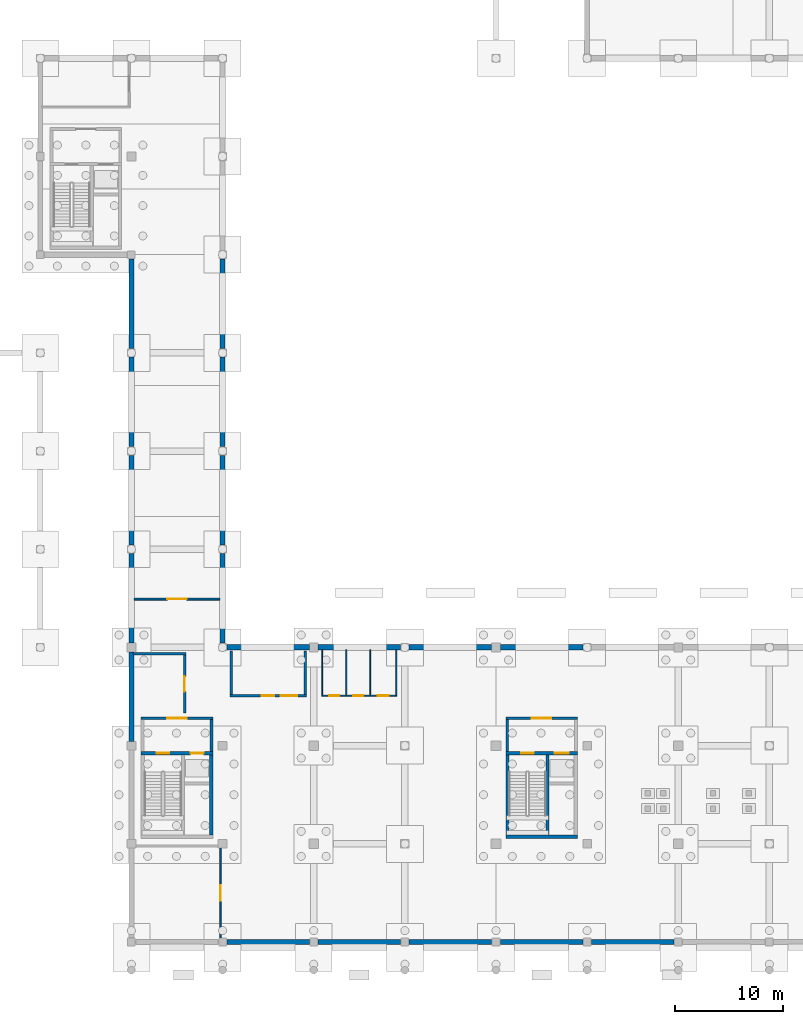
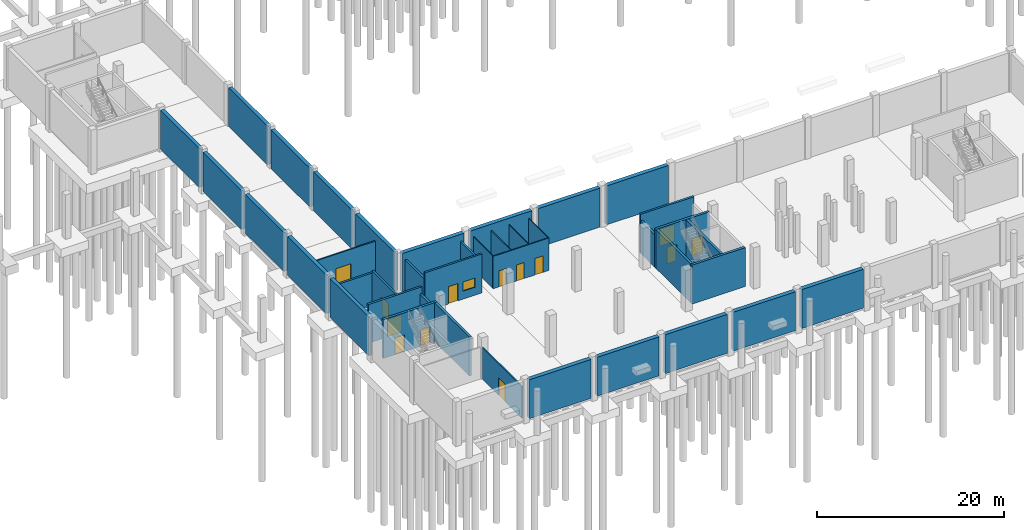
# One storey, part 7 of 18: 40 walls, 13 doors, 1 window, 14 openings.
"""IFC4 building model written with IfcOpenShell, lengths in metres."""

from ifc_helpers import new_model, si_unit, direction, frame, frame_2d, origin, place, context, subcontext, project, spatial, rectangle, extrude, material, layer, layer_set, type_object, element, fill, save


model = new_model("IFC4")

# Units and contexts
model_context = context("Model", 3, precision=1e-05, world=origin(), true_north=direction((0.0, 1.0)))
body_context = subcontext(model_context, "Body", "Model", "MODEL_VIEW")
ifc_project = project(units=[si_unit("LENGTHUNIT", "METRE"), si_unit("AREAUNIT", "SQUARE_METRE"), si_unit("VOLUMEUNIT", "CUBIC_METRE"), si_unit("PLANEANGLEUNIT", "RADIAN"), si_unit("MASSUNIT", "GRAM", prefix="KILO")], contexts=[model_context])

# Site, building, storey
site_placement = place(None, origin())
site = spatial("IfcSite", under=ifc_project, at=site_placement, CompositionType="ELEMENT")
building_placement = place(site_placement, origin())
building = spatial("IfcBuilding", under=site, at=building_placement, Name="Khurvash Pelagic Aquarium", CompositionType="ELEMENT")
storey_placement = place(building_placement, frame((0.0, 0.0, -5.39990234375)))
storey = spatial("IfcBuildingStorey", under=building, at=storey_placement, Name="B1", CompositionType="ELEMENT", Elevation=-5.39990234375)

# Wall, openings, doors
ifc_material_1 = material(Name="Ceramic-tiled wet-room partition", Category="masonry")
ifc_layer_1 = layer(ifc_material_1, 0.110107421875)
ifc_layer_set_1 = layer_set([ifc_layer_1], Name="Ceramic-tiled wet-room partition")
wall_type_1 = type_object("IfcWallType", Name="PW-110", PredefinedType="PARTITIONING", material=ifc_layer_set_1)
wall_1_placement = place(storey_placement, frame((42.7451171875, 25.300048828125, 0.0), z_axis=(0.0, 0.0, 1.0), x_axis=(1.0, 0.0, 0.0)))
wall_1 = element("IfcWall", 1, at=wall_1_placement, inside=storey, type_object=wall_type_1, Name="B1 Restroom Bank Corridor Wall PW-110", PredefinedType="PARTITIONING", context=body_context, shape_type="SweptSolid", body=[
    extrude(rectangle(XDim=6.909912109375, YDim=0.110107421875, at=frame_2d((3.455078125, 0.0))), origin(), (0.0, 0.0, 1.0), 4.22998046875),
])
opening_1_placement = place(wall_1_placement, frame((0.695068359375, 0.0, 0.0)))
opening_1 = element("IfcOpeningElement", 2, at=opening_1_placement, cuts=wall_1, Name="Opening ID-01", PredefinedType="OPENING", context=body_context, shape_type="SweptSolid", body=[
    extrude(rectangle(XDim=0.919921875, YDim=2.10009765625, at=frame_2d((0.4599609375, 1.050048828125))), frame((0.0, 0.06494140625, 0.0), z_axis=(0.0, -1.0, 0.0), x_axis=(1.0, 0.0, 0.0)), (0.0, 0.0, 1.0), 0.130126953125),
])
opening_2_placement = place(wall_1_placement, frame((2.89501953125, 0.0, 0.0)))
opening_2 = element("IfcOpeningElement", 3, at=opening_2_placement, cuts=wall_1, Name="Opening ID-01", PredefinedType="OPENING", context=body_context, shape_type="SweptSolid", body=[
    extrude(rectangle(XDim=0.919921875, YDim=2.10009765625, at=frame_2d((0.4599609375, 1.050048828125))), frame((0.0, 0.06494140625, 0.0), z_axis=(0.0, -1.0, 0.0), x_axis=(1.0, 0.0, 0.0)), (0.0, 0.0, 1.0), 0.130126953125),
])
opening_3_placement = place(wall_1_placement, frame((5.155029296875, 0.0, 0.0)))
opening_3 = element("IfcOpeningElement", 4, at=opening_3_placement, cuts=wall_1, Name="Opening ID-02", PredefinedType="OPENING", context=body_context, shape_type="SweptSolid", body=[
    extrude(rectangle(XDim=1.0, YDim=2.14990234375, at=frame_2d((0.5, 1.074951171875))), frame((0.0, 0.06494140625, 0.0), z_axis=(0.0, -1.0, 0.0), x_axis=(1.0, 0.0, 0.0)), (0.0, 0.0, 1.0), 0.130126953125),
])
ifc_material_2 = material(Name="High-pressure laminate solid-core timber", Category="wood")
door_type_1 = type_object("IfcDoorType", Name="ID-01", OperationType="NOTDEFINED", PredefinedType="DOOR", material=ifc_material_2)
door_1_placement = place(opening_1_placement, frame((0.919921875, 0.0, 0.0), z_axis=(0.0, 0.0, 1.0), x_axis=(-1.0, 0.0, 0.0)))
door_1 = element("IfcDoor", 5, at=door_1_placement, inside=storey, type_object=door_type_1, Name="DR-0014", OperationType="SINGLE_SWING_LEFT", OverallHeight=2.10009765625, OverallWidth=0.919921875, PredefinedType="DOOR", context=body_context, shape_type="SweptSolid", body=[
    extrude(rectangle(XDim=0.919921875, YDim=2.10009765625, at=frame_2d((0.4599609375, 1.050048828125))), frame((0.0, 0.02490234375, 0.0), z_axis=(0.0, -1.0, 0.0), x_axis=(1.0, 0.0, 0.0)), (0.0, 0.0, 1.0), 0.050048828125),
])
fill(opening_1, door_1)
door_2_placement = place(opening_2_placement, frame((0.919921875, 0.0, 0.0), z_axis=(0.0, 0.0, 1.0), x_axis=(-1.0, 0.0, 0.0)))
door_2 = element("IfcDoor", 6, at=door_2_placement, inside=storey, type_object=door_type_1, Name="DR-0015", OperationType="SINGLE_SWING_RIGHT", OverallHeight=2.10009765625, OverallWidth=0.919921875, PredefinedType="DOOR", context=body_context, shape_type="SweptSolid", body=[
    extrude(rectangle(XDim=0.919921875, YDim=2.10009765625, at=frame_2d((0.4599609375, 1.050048828125))), frame((0.0, 0.02490234375, 0.0), z_axis=(0.0, -1.0, 0.0), x_axis=(1.0, 0.0, 0.0)), (0.0, 0.0, 1.0), 0.050048828125),
])
fill(opening_2, door_2)
door_type_2 = type_object("IfcDoorType", Name="ID-02", OperationType="NOTDEFINED", PredefinedType="DOOR", material=ifc_material_2)
door_3_placement = place(opening_3_placement, frame((1.0, 0.0, 0.0), z_axis=(0.0, 0.0, 1.0), x_axis=(-1.0, 0.0, 0.0)))
door_3 = element("IfcDoor", 7, at=door_3_placement, inside=storey, type_object=door_type_2, Name="DR-0016", OperationType="SINGLE_SWING_LEFT", OverallHeight=2.14990234375, OverallWidth=1.0, PredefinedType="DOOR", context=body_context, shape_type="SweptSolid", body=[
    extrude(rectangle(XDim=1.0, YDim=2.14990234375, at=frame_2d((0.5, 1.074951171875))), frame((0.0, 0.02490234375, 0.0), z_axis=(0.0, -1.0, 0.0), x_axis=(1.0, 0.0, 0.0)), (0.0, 0.0, 1.0), 0.050048828125),
])
fill(opening_3, door_3)

# Walls
for number, where, z_axis, x_axis, name in (
    (8, (42.800048828125, 25.35498046875, 0.0), (0.0, 0.0, 1.0), (0.0, 1.0, 0.0), "B1 Restroom Divider Partition PW-110"),
    (9, (45.0, 25.35498046875, 0.0), (0.0, 0.0, 1.0), (0.0, 1.0, 0.0), "B1 Restroom Divider Partition PW-110"),
    (10, (47.199951171875, 25.35498046875, 0.0), (0.0, 0.0, 1.0), (0.0, 1.0, 0.0), "B1 Restroom Divider Partition PW-110"),
    (11, (49.60009765625, 25.35498046875, 0.0), (0.0, 0.0, 1.0), (0.0, 1.0, 0.0), "B1 Restroom Divider Partition PW-110"),
):
    element("IfcWall", number, at=place(storey_placement, frame(where, z_axis=z_axis, x_axis=x_axis)), inside=storey, type_object=wall_type_1, Name=name, PredefinedType="PARTITIONING", context=body_context, shape_type="SweptSolid", body=[
        extrude(rectangle(XDim=4.169921875, YDim=0.110107421875, at=frame_2d((2.0849609375, 0.0))), origin(), (0.0, 0.0, 1.0), 4.22998046875),
    ])

# Wall, opening, door
ifc_material_3 = material(Name="Moisture-resistant gypsum and steel stud", Category="steel")
ifc_layer_2 = layer(ifc_material_3, 0.139892578125)
ifc_layer_set_2 = layer_set([ifc_layer_2], Name="Moisture-resistant gypsum and steel stud")
wall_type_2 = type_object("IfcWallType", Name="PW-140", PredefinedType="PARTITIONING", material=ifc_layer_set_2)
wall_2_placement = place(storey_placement, frame((33.39990234375, 2.8701171875, 0.0), z_axis=(0.0, 0.0, 1.0), x_axis=(0.0, 1.0, 0.0)))
wall_2 = element("IfcWall", 12, at=wall_2_placement, inside=storey, type_object=wall_type_2, Name="B1 Substation and Switchgear Plant Partition Wall PW-140", PredefinedType="PARTITIONING", context=body_context, shape_type="SweptSolid", body=[
    extrude(rectangle(XDim=8.509765625, YDim=0.139892578125, at=frame_2d((4.2548828125, 0.0))), origin(), (0.0, 0.0, 1.0), 4.1298828125),
])
opening_4_placement = place(wall_2_placement, frame((3.554931640625, 0.0, 0.0)))
opening_4 = element("IfcOpeningElement", 13, at=opening_4_placement, cuts=wall_2, Name="Opening FD-03", PredefinedType="OPENING", context=body_context, shape_type="SweptSolid", body=[
    extrude(rectangle(XDim=1.39990234375, YDim=2.25, at=frame_2d((0.699951171875, 1.125))), frame((0.0, 0.080078125, 0.0), z_axis=(0.0, -1.0, 0.0), x_axis=(1.0, 0.0, 0.0)), (0.0, 0.0, 1.0), 0.159912109375),
])
ifc_material_4 = material(Name="Galvanised steel plant fire door", Category="steel")
door_type_3 = type_object("IfcDoorType", Name="FD-03", OperationType="NOTDEFINED", PredefinedType="DOOR", material=ifc_material_4)
door_4_placement = place(opening_4_placement, origin())
door_4 = element("IfcDoor", 14, at=door_4_placement, inside=storey, type_object=door_type_3, Name="DR-0018", OperationType="SINGLE_SWING_LEFT", OverallHeight=2.25, OverallWidth=1.39990234375, PredefinedType="DOOR", context=body_context, shape_type="SweptSolid", body=[
    extrude(rectangle(XDim=1.39990234375, YDim=2.25, at=frame_2d((0.699951171875, 1.125))), frame((0.0, 0.02490234375, 0.0), z_axis=(0.0, -1.0, 0.0), x_axis=(1.0, 0.0, 0.0)), (0.0, 0.0, 1.0), 0.050048828125),
])
fill(opening_4, door_4)

ifc_material_5 = material(Name="AAC blockwork", Category="masonry")
ifc_layer_3 = layer(ifc_material_5, 0.169921875)
ifc_layer_set_3 = layer_set([ifc_layer_3], Name="AAC blockwork")
wall_type_3 = type_object("IfcWallType", Name="PW-170", PredefinedType="PARTITIONING", material=ifc_layer_set_3)
wall_3_placement = place(storey_placement, frame((25.449951171875, 34.199951171875, 0.0), z_axis=(0.0, 0.0, 1.0), x_axis=(1.0, 0.0, 0.0)))
wall_3 = element("IfcWall", 15, at=wall_3_placement, inside=storey, type_object=wall_type_3, Name="B1 Service Corridor Smoke Compartment Partition Wall PW-170", PredefinedType="PARTITIONING", context=body_context, shape_type="SweptSolid", body=[
    extrude(rectangle(XDim=7.900146484375, YDim=0.169921875, at=frame_2d((3.9501953125, 0.0))), origin(), (0.0, 0.0, 1.0), 4.1298828125),
])
opening_5_placement = place(wall_3_placement, frame((3.050048828125, 0.0, 0.0)))
opening_5 = element("IfcOpeningElement", 16, at=opening_5_placement, cuts=wall_3, Name="Opening FD-02", PredefinedType="OPENING", context=body_context, shape_type="SweptSolid", body=[
    extrude(rectangle(XDim=1.800048828125, YDim=2.25, at=frame_2d((0.89990234375, 1.125))), frame((0.0, 0.094970703125, 0.0), z_axis=(0.0, -1.0, 0.0), x_axis=(1.0, 0.0, 0.0)), (0.0, 0.0, 1.0), 0.18994140625),
])
ifc_material_6 = material(Name="Galvanised steel double fire door", Category="steel")
door_type_4 = type_object("IfcDoorType", Name="FD-02", OperationType="DOUBLE_DOOR_SINGLE_SWING", PredefinedType="DOOR", material=ifc_material_6)
door_5_placement = place(opening_5_placement, frame((1.800048828125, 0.0, 0.0), z_axis=(0.0, 0.0, 1.0), x_axis=(-1.0, 0.0, 0.0)))
door_5 = element("IfcDoor", 17, at=door_5_placement, inside=storey, type_object=door_type_4, Name="DR-0013", OperationType="DOUBLE_DOOR_SINGLE_SWING", OverallHeight=2.25, OverallWidth=1.800048828125, PredefinedType="DOOR", context=body_context, shape_type="SweptSolid", body=[
    extrude(rectangle(XDim=1.800048828125, YDim=2.25, at=frame_2d((0.89990234375, 1.125))), frame((0.0, 0.02490234375, 0.0), z_axis=(0.0, -1.0, 0.0), x_axis=(1.0, 0.0, 0.0)), (0.0, 0.0, 1.0), 0.050048828125),
])
fill(opening_5, door_5)

# Wall, openings, door, window
ifc_layer_4 = layer(ifc_material_5, 0.235107421875)
ifc_layer_set_4 = layer_set([ifc_layer_4], Name="AAC blockwork")
wall_type_4 = type_object("IfcWallType", Name="PW-235", PredefinedType="PARTITIONING", material=ifc_layer_set_4)
wall_4_placement = place(storey_placement, frame((34.281982421875, 25.300048828125, 0.0), z_axis=(0.0, 0.0, 1.0), x_axis=(1.0, 0.0, 0.0)))
wall_4 = element("IfcWall", 18, at=wall_4_placement, inside=storey, type_object=wall_type_4, Name="B1 Salt Mixing and Brine Storage Partition Wall PW-235", PredefinedType="PARTITIONING", context=body_context, shape_type="SweptSolid", body=[
    extrude(rectangle(XDim=7.0361328125, YDim=0.235107421875, at=frame_2d((3.51806640625, 0.0))), origin(), (0.0, 0.0, 1.0), 5.079833984375),
])
opening_6_placement = place(wall_4_placement, frame((2.93798828125, 0.0, 0.0)))
opening_6 = element("IfcOpeningElement", 19, at=opening_6_placement, cuts=wall_4, Name="Opening ID-29", PredefinedType="OPENING", context=body_context, shape_type="SweptSolid", body=[
    extrude(rectangle(XDim=1.159912109375, YDim=2.260009765625, at=frame_2d((0.580078125, 1.1298828125))), frame((0.0, 0.12744140625, 0.0), z_axis=(0.0, -1.0, 0.0), x_axis=(1.0, 0.0, 0.0)), (0.0, 0.0, 1.0), 0.255126953125),
])
opening_7_placement = place(wall_4_placement, frame((4.697998046875, 0.0, 1.0498046875)))
opening_7 = element("IfcOpeningElement", 20, at=opening_7_placement, cuts=wall_4, Name="Opening IW-01", PredefinedType="OPENING", context=body_context, shape_type="SweptSolid", body=[
    extrude(rectangle(XDim=1.5, YDim=1.199951171875, at=frame_2d((0.75, 0.60009765625))), frame((0.0, 0.12744140625, 0.0), z_axis=(0.0, -1.0, 0.0), x_axis=(1.0, 0.0, 0.0)), (0.0, 0.0, 1.0), 0.255126953125),
])
ifc_material_7 = material(Name="FRP biosecure airlock door", Category="wood")
door_type_5 = type_object("IfcDoorType", Name="ID-29", OperationType="NOTDEFINED", PredefinedType="DOOR", material=ifc_material_7)
door_6_placement = place(opening_6_placement, origin())
door_6 = element("IfcDoor", 21, at=door_6_placement, inside=storey, type_object=door_type_5, Name="DR-0017", OperationType="SINGLE_SWING_RIGHT", OverallHeight=2.260009765625, OverallWidth=1.159912109375, PredefinedType="DOOR", context=body_context, shape_type="SweptSolid", body=[
    extrude(rectangle(XDim=1.159912109375, YDim=2.260009765625, at=frame_2d((0.580078125, 1.1298828125))), frame((0.0, 0.02490234375, 0.0), z_axis=(0.0, -1.0, 0.0), x_axis=(1.0, 0.0, 0.0)), (0.0, 0.0, 1.0), 0.050048828125),
])
fill(opening_6, door_6)
ifc_material_8 = material(Name="Acoustic laminated interior observation glazing", Category="glass")
window_type = type_object("IfcWindowType", Name="IW-01", PartitioningType="SINGLE_PANEL", PredefinedType="WINDOW", material=ifc_material_8)
window_placement = place(opening_7_placement, origin())
window = element("IfcWindow", 22, at=window_placement, inside=storey, type_object=window_type, Name="B1 Salt Mixing and Brine Storage Observation Window IW-01", OverallHeight=1.199951171875, OverallWidth=1.5, PartitioningType="SINGLE_PANEL", PredefinedType="WINDOW", context=body_context, shape_type="SweptSolid", body=[
    extrude(rectangle(XDim=1.5, YDim=1.199951171875, at=frame_2d((0.75, 0.60009765625))), frame((0.0, 0.030029296875, 0.0), z_axis=(0.0, -1.0, 0.0), x_axis=(1.0, 0.0, 0.0)), (0.0, 0.0, 1.0), 0.06005859375),
])
fill(opening_7, window)

# Walls
for number, where, z_axis, x_axis, name in (
    (23, (41.199951171875, 25.41796875, 0.0), (0.0, 0.0, 1.0), (0.0, 1.0, 0.0), "B1 Salt Mixing and Brine Storage Partition Wall PW-235"),
    (24, (34.39990234375, 25.41796875, 0.0), (0.0, 0.0, 1.0), (0.0, 1.0, 0.0), "B1 Salt Mixing and Brine Storage Partition Wall PW-235"),
):
    element("IfcWall", number, at=place(storey_placement, frame(where, z_axis=z_axis, x_axis=x_axis)), inside=storey, type_object=wall_type_4, Name=name, PredefinedType="PARTITIONING", context=body_context, shape_type="SweptSolid", body=[
        extrude(rectangle(XDim=3.989013671875, YDim=0.235107421875, at=frame_2d((1.99462890625, 0.0))), origin(), (0.0, 0.0, 1.0), 4.22998046875),
    ])

# Wall, opening, door
wall_5_placement = place(storey_placement, frame((30.10009765625, 23.718017578125, 0.0), z_axis=(0.0, 0.0, 1.0), x_axis=(0.0, 1.0, 0.0)))
wall_5 = element("IfcWall", 25, at=wall_5_placement, inside=storey, type_object=wall_type_4, Name="B1 Standby Generator Plant Partition Wall PW-235", PredefinedType="PARTITIONING", context=body_context, shape_type="SweptSolid", body=[
    extrude(rectangle(XDim=5.31396484375, YDim=0.235107421875, at=frame_2d((2.656982421875, 0.0))), origin(), (0.0, 0.0, 1.0), 4.52978515625),
])
opening_8_placement = place(wall_5_placement, frame((1.95703125, 0.0, 0.0)))
opening_8 = element("IfcOpeningElement", 26, at=opening_8_placement, cuts=wall_5, Name="Opening FD-03", PredefinedType="OPENING", context=body_context, shape_type="SweptSolid", body=[
    extrude(rectangle(XDim=1.39990234375, YDim=2.25, at=frame_2d((0.699951171875, 1.125))), frame((0.0, 0.12744140625, 0.0), z_axis=(0.0, -1.0, 0.0), x_axis=(1.0, 0.0, 0.0)), (0.0, 0.0, 1.0), 0.255126953125),
])
door_7_placement = place(opening_8_placement, origin())
door_7 = element("IfcDoor", 27, at=door_7_placement, inside=storey, type_object=door_type_3, Name="DR-0019", OperationType="SINGLE_SWING_RIGHT", OverallHeight=2.25, OverallWidth=1.39990234375, PredefinedType="DOOR", context=body_context, shape_type="SweptSolid", body=[
    extrude(rectangle(XDim=1.39990234375, YDim=2.25, at=frame_2d((0.699951171875, 1.125))), frame((0.0, 0.02490234375, 0.0), z_axis=(0.0, -1.0, 0.0), x_axis=(1.0, 0.0, 0.0)), (0.0, 0.0, 1.0), 0.050048828125),
])
fill(opening_8, door_7)

# Wall
wall_6_placement = place(storey_placement, frame((25.33203125, 29.14990234375, 0.0), z_axis=(0.0, 0.0, 1.0), x_axis=(1.0, 0.0, 0.0)))
element("IfcWall", 28, at=wall_6_placement, inside=storey, type_object=wall_type_4, Name="B1 Standby Generator Plant Partition Wall PW-235", PredefinedType="PARTITIONING", context=body_context, shape_type="SweptSolid", body=[
    extrude(rectangle(XDim=4.885986328125, YDim=0.235107421875, at=frame_2d((2.44287109375, 0.0))), origin(), (0.0, 0.0, 1.0), 4.22998046875),
])

# Wall, opening, door
ifc_layer_5 = layer(ifc_material_5, 0.25)
ifc_layer_set_5 = layer_set([ifc_layer_5], Name="AAC blockwork")
wall_type_5 = type_object("IfcWallType", Name="PW-250", PredefinedType="PARTITIONING", material=ifc_layer_set_5)
wall_7_placement = place(storey_placement, frame((26.10009765625, 23.22509765625, 0.0), z_axis=(0.0, 0.0, 1.0), x_axis=(1.0, 0.0, 0.0)))
wall_7 = element("IfcWall", 29, at=wall_7_placement, inside=storey, type_object=wall_type_5, Name="B1 Core C1 Lobby Front Fire Wall PW-250", PredefinedType="PARTITIONING", context=body_context, shape_type="SweptSolid", body=[
    extrude(rectangle(XDim=6.599853515625, YDim=0.25, at=frame_2d((3.2998046875, 0.0))), origin(), (0.0, 0.0, 1.0), 5.079833984375),
])
opening_9_placement = place(wall_7_placement, frame((2.39990234375, 0.0, 0.0)))
opening_9 = element("IfcOpeningElement", 30, at=opening_9_placement, cuts=wall_7, Name="Opening FD-02", PredefinedType="OPENING", context=body_context, shape_type="SweptSolid", body=[
    extrude(rectangle(XDim=1.800048828125, YDim=2.25, at=frame_2d((0.89990234375, 1.125))), frame((0.0, 0.135009765625, 0.0), z_axis=(0.0, -1.0, 0.0), x_axis=(1.0, 0.0, 0.0)), (0.0, 0.0, 1.0), 0.27001953125),
])
door_8_placement = place(opening_9_placement, origin())
door_8 = element("IfcDoor", 31, at=door_8_placement, inside=storey, type_object=door_type_4, Name="DR-0026", OperationType="DOUBLE_DOOR_SINGLE_SWING", OverallHeight=2.25, OverallWidth=1.800048828125, PredefinedType="DOOR", context=body_context, shape_type="SweptSolid", body=[
    extrude(rectangle(XDim=1.800048828125, YDim=2.25, at=frame_2d((0.89990234375, 1.125))), frame((0.0, 0.02490234375, 0.0), z_axis=(0.0, -1.0, 0.0), x_axis=(1.0, 0.0, 0.0)), (0.0, 0.0, 1.0), 0.050048828125),
])
fill(opening_9, door_8)

# Wall
wall_8_placement = place(storey_placement, frame((32.574951171875, 20.14990234375, 0.0), z_axis=(0.0, 0.0, 1.0), x_axis=(0.0, 1.0, 0.0)))
element("IfcWall", 32, at=wall_8_placement, inside=storey, type_object=wall_type_5, Name="B1 Core C1 Lobby East Fire Wall PW-250", PredefinedType="PARTITIONING", context=body_context, shape_type="SweptSolid", body=[
    extrude(rectangle(XDim=2.9501953125, YDim=0.25, at=frame_2d((1.47509765625, 0.0))), origin(), (0.0, 0.0, 1.0), 4.22998046875),
])

# Wall, opening, door
wall_9_placement = place(storey_placement, frame((59.699951171875, 23.22509765625, 0.0), z_axis=(0.0, 0.0, 1.0), x_axis=(1.0, 0.0, 0.0)))
wall_9 = element("IfcWall", 33, at=wall_9_placement, inside=storey, type_object=wall_type_5, Name="B1 Core C2 Lobby Front Fire Wall PW-250", PredefinedType="PARTITIONING", context=body_context, shape_type="SweptSolid", body=[
    extrude(rectangle(XDim=6.60009765625, YDim=0.25, at=frame_2d((3.300048828125, 0.0))), origin(), (0.0, 0.0, 1.0), 5.079833984375),
])
opening_10_placement = place(wall_9_placement, frame((2.39990234375, 0.0, 0.0)))
opening_10 = element("IfcOpeningElement", 34, at=opening_10_placement, cuts=wall_9, Name="Opening FD-02", PredefinedType="OPENING", context=body_context, shape_type="SweptSolid", body=[
    extrude(rectangle(XDim=1.800048828125, YDim=2.25, at=frame_2d((0.89990234375, 1.125))), frame((0.0, 0.135009765625, 0.0), z_axis=(0.0, -1.0, 0.0), x_axis=(1.0, 0.0, 0.0)), (0.0, 0.0, 1.0), 0.27001953125),
])
door_9_placement = place(opening_10_placement, origin())
door_9 = element("IfcDoor", 35, at=door_9_placement, inside=storey, type_object=door_type_4, Name="DR-0027", OperationType="DOUBLE_DOOR_SINGLE_SWING", OverallHeight=2.25, OverallWidth=1.800048828125, PredefinedType="DOOR", context=body_context, shape_type="SweptSolid", body=[
    extrude(rectangle(XDim=1.800048828125, YDim=2.25, at=frame_2d((0.89990234375, 1.125))), frame((0.0, 0.02490234375, 0.0), z_axis=(0.0, -1.0, 0.0), x_axis=(1.0, 0.0, 0.0)), (0.0, 0.0, 1.0), 0.050048828125),
])
fill(opening_10, door_9)

# Walls
wall_10_placement = place(storey_placement, frame((59.824951171875, 20.14990234375, 0.0), z_axis=(0.0, 0.0, 1.0), x_axis=(0.0, 1.0, 0.0)))
element("IfcWall", 36, at=wall_10_placement, inside=storey, type_object=wall_type_5, Name="B1 Core C2 Lobby West Fire Wall PW-250", PredefinedType="PARTITIONING", context=body_context, shape_type="SweptSolid", body=[
    extrude(rectangle(XDim=2.9501953125, YDim=0.25, at=frame_2d((1.47509765625, 0.0))), origin(), (0.0, 0.0, 1.0), 4.22998046875),
])
ifc_material_9 = material(Name="Concrete C40/50", Category="concrete")
ifc_layer_6 = layer(ifc_material_9, 0.449951171875)
ifc_layer_set_6 = layer_set([ifc_layer_6], Name="Concrete C40/50")
wall_type_6 = type_object("IfcWallType", Name="RW-450", PredefinedType="USERDEFINED", material=ifc_layer_set_6)
for number, where, z_axis, x_axis, name in (
    (37, (25.199951171875, 21.10009765625, 0.0), (0.0, 0.0, 1.0), (0.0, 1.0, 0.0), "B1 Perimeter Waterproofed Retaining Wall RW-450"),
    (38, (25.199951171875, 30.14990234375, 0.0), (0.0, 0.0, 1.0), (0.0, 1.0, 0.0), "B1 Perimeter Waterproofed Retaining Wall RW-450"),
    (39, (25.199951171875, 39.199951171875, 0.0), (0.0, 0.0, 1.0), (0.0, 1.0, 0.0), "B1 Perimeter Waterproofed Retaining Wall RW-450"),
    (40, (25.199951171875, 48.25, 0.0), (0.0, 0.0, 1.0), (0.0, 1.0, 0.0), "B1 Perimeter Waterproofed Retaining Wall RW-450"),
    (41, (25.199951171875, 57.300048828125, 0.0), (0.0, 0.0, 1.0), (0.0, 1.0, 0.0), "B1 Perimeter Waterproofed Retaining Wall RW-450"),
    (42, (33.60009765625, 65.550048828125, 0.0), (0.0, 0.0, 1.0), (0.0, -1.0, 0.0), "B1 Perimeter Waterproofed Retaining Wall RW-450"),
    (43, (33.60009765625, 56.5, 0.0), (0.0, 0.0, 1.0), (0.0, -1.0, 0.0), "B1 Perimeter Waterproofed Retaining Wall RW-450"),
    (44, (33.60009765625, 47.449951171875, 0.0), (0.0, 0.0, 1.0), (0.0, -1.0, 0.0), "B1 Perimeter Waterproofed Retaining Wall RW-450"),
    (45, (33.60009765625, 38.39990234375, 0.0), (0.0, 0.0, 1.0), (0.0, -1.0, 0.0), "B1 Perimeter Waterproofed Retaining Wall RW-450"),
):
    element("IfcWall", number, at=place(storey_placement, frame(where, z_axis=z_axis, x_axis=x_axis)), inside=storey, type_object=wall_type_6, Name=name, ObjectType="RETAINING WALL", PredefinedType="USERDEFINED", context=body_context, shape_type="SweptSolid", body=[
        extrude(rectangle(XDim=8.25, YDim=0.449951171875, at=frame_2d((4.125, 0.0))), origin(), (0.0, 0.0, 1.0), 5.079833984375),
    ])
ifc_material_10 = material(Name="Water-retaining concrete C40/50", Category="concrete")
ifc_layer_7 = layer(ifc_material_10, 0.5)
ifc_layer_set_7 = layer_set([ifc_layer_7], Name="Water-retaining concrete C40/50")
wall_type_7 = type_object("IfcWallType", Name="RW-500", PredefinedType="USERDEFINED", material=ifc_layer_set_7)
wall_11_placement = place(storey_placement, frame((75.199951171875, 2.60009765625, 0.0), z_axis=(0.0, 0.0, 1.0), x_axis=(-1.0, 0.0, 0.0)))
element("IfcWall", 46, at=wall_11_placement, inside=storey, type_object=wall_type_7, Name="B1 Perimeter Waterproofed Retaining Wall RW-500", ObjectType="RETAINING WALL", PredefinedType="USERDEFINED", context=body_context, shape_type="SweptSolid", body=[
    extrude(rectangle(XDim=7.599853515625, YDim=0.5, at=frame_2d((3.7998046875, 0.0))), origin(), (0.0, 0.0, 1.0), 5.079833984375),
])
wall_12_placement = place(storey_placement, frame((66.800048828125, 2.60009765625, 0.0), z_axis=(0.0, 0.0, 1.0), x_axis=(-1.0, 0.0, 0.0)))
element("IfcWall", 47, at=wall_12_placement, inside=storey, type_object=wall_type_7, Name="B1 Perimeter Waterproofed Retaining Wall RW-500", ObjectType="RETAINING WALL", PredefinedType="USERDEFINED", context=body_context, shape_type="SweptSolid", body=[
    extrude(rectangle(XDim=7.60009765625, YDim=0.5, at=frame_2d((3.800048828125, 0.0))), origin(), (0.0, 0.0, 1.0), 5.079833984375),
])
wall_13_placement = place(storey_placement, frame((58.39990234375, 2.60009765625, 0.0), z_axis=(0.0, 0.0, 1.0), x_axis=(-1.0, 0.0, 0.0)))
element("IfcWall", 48, at=wall_13_placement, inside=storey, type_object=wall_type_7, Name="B1 Perimeter Waterproofed Retaining Wall RW-500", ObjectType="RETAINING WALL", PredefinedType="USERDEFINED", context=body_context, shape_type="SweptSolid", body=[
    extrude(rectangle(XDim=7.599853515625, YDim=0.5, at=frame_2d((3.7998046875, 0.0))), origin(), (0.0, 0.0, 1.0), 5.079833984375),
])
for number, where, z_axis, x_axis, name in (
    (49, (50.0, 2.60009765625, 0.0), (0.0, 0.0, 1.0), (-1.0, 0.0, 0.0), "B1 Perimeter Waterproofed Retaining Wall RW-500"),
    (50, (41.60009765625, 2.60009765625, 0.0), (0.0, 0.0, 1.0), (-1.0, 0.0, 0.0), "B1 Perimeter Waterproofed Retaining Wall RW-500"),
    (51, (34.0, 29.75, 0.0), (0.0, 0.0, 1.0), (1.0, 0.0, 0.0), "B1 Perimeter Waterproofed Retaining Wall RW-500"),
    (52, (42.39990234375, 29.75, 0.0), (0.0, 0.0, 1.0), (1.0, 0.0, 0.0), "B1 Perimeter Waterproofed Retaining Wall RW-500"),
):
    element("IfcWall", number, at=place(storey_placement, frame(where, z_axis=z_axis, x_axis=x_axis)), inside=storey, type_object=wall_type_7, Name=name, ObjectType="RETAINING WALL", PredefinedType="USERDEFINED", context=body_context, shape_type="SweptSolid", body=[
        extrude(rectangle(XDim=7.60009765625, YDim=0.5, at=frame_2d((3.800048828125, 0.0))), origin(), (0.0, 0.0, 1.0), 5.079833984375),
    ])
wall_14_placement = place(storey_placement, frame((50.800048828125, 29.75, 0.0), z_axis=(0.0, 0.0, 1.0), x_axis=(1.0, 0.0, 0.0)))
element("IfcWall", 53, at=wall_14_placement, inside=storey, type_object=wall_type_7, Name="B1 Perimeter Waterproofed Retaining Wall RW-500", ObjectType="RETAINING WALL", PredefinedType="USERDEFINED", context=body_context, shape_type="SweptSolid", body=[
    extrude(rectangle(XDim=7.599853515625, YDim=0.5, at=frame_2d((3.7998046875, 0.0))), origin(), (0.0, 0.0, 1.0), 5.079833984375),
])
wall_15_placement = place(storey_placement, frame((59.199951171875, 29.75, 0.0), z_axis=(0.0, 0.0, 1.0), x_axis=(1.0, 0.0, 0.0)))
element("IfcWall", 54, at=wall_15_placement, inside=storey, type_object=wall_type_7, Name="B1 Perimeter Waterproofed Retaining Wall RW-500", ObjectType="RETAINING WALL", PredefinedType="USERDEFINED", context=body_context, shape_type="SweptSolid", body=[
    extrude(rectangle(XDim=7.60009765625, YDim=0.5, at=frame_2d((3.800048828125, 0.0))), origin(), (0.0, 0.0, 1.0), 5.079833984375),
])

# Wall, openings, doors
ifc_layer_8 = layer(ifc_material_9, 0.300048828125)
ifc_layer_set_8 = layer_set([ifc_layer_8], Name="Concrete C40/50")
wall_type_8 = type_object("IfcWallType", Name="SW-300", PredefinedType="SHEAR", material=ifc_layer_set_8)
wall_16_placement = place(storey_placement, frame((26.10009765625, 20.0, 0.0), z_axis=(0.0, 0.0, 1.0), x_axis=(1.0, 0.0, 0.0)))
wall_16 = element("IfcWall", 55, at=wall_16_placement, inside=storey, type_object=wall_type_8, Name="B1 Core C1 North Shear Wall SW-300", PredefinedType="SHEAR", context=body_context, shape_type="SweptSolid", body=[
    extrude(rectangle(XDim=6.599853515625, YDim=0.300048828125, at=frame_2d((3.2998046875, 0.0))), origin(), (0.0, 0.0, 1.0), 5.079833984375),
])
opening_11_placement = place(wall_16_placement, frame((1.425048828125, 0.0, 0.0)))
opening_11 = element("IfcOpeningElement", 56, at=opening_11_placement, cuts=wall_16, Name="Opening FD-01", PredefinedType="OPENING", context=body_context, shape_type="SweptSolid", body=[
    extrude(rectangle(XDim=1.14990234375, YDim=2.199951171875, at=frame_2d((0.574951171875, 1.10009765625))), frame((0.0, 0.16015625, 0.0), z_axis=(0.0, -1.0, 0.0), x_axis=(1.0, 0.0, 0.0)), (0.0, 0.0, 1.0), 0.320068359375),
])
opening_12_placement = place(wall_16_placement, frame((4.550048828125, 0.0, 0.0)))
opening_12 = element("IfcOpeningElement", 57, at=opening_12_placement, cuts=wall_16, Name="Opening LD-01", PredefinedType="OPENING", context=body_context, shape_type="SweptSolid", body=[
    extrude(rectangle(XDim=1.199951171875, YDim=2.14990234375, at=frame_2d((0.60009765625, 1.074951171875))), frame((0.0, 0.16015625, 0.0), z_axis=(0.0, -1.0, 0.0), x_axis=(1.0, 0.0, 0.0)), (0.0, 0.0, 1.0), 0.320068359375),
])
ifc_material_11 = material(Name="Galvanised steel fire door", Category="steel")
door_type_6 = type_object("IfcDoorType", Name="FD-01", OperationType="NOTDEFINED", PredefinedType="DOOR", material=ifc_material_11)
door_10_placement = place(opening_11_placement, frame((1.14990234375, 0.0, 0.0), z_axis=(0.0, 0.0, 1.0), x_axis=(-1.0, 0.0, 0.0)))
door_10 = element("IfcDoor", 58, at=door_10_placement, inside=storey, type_object=door_type_6, Name="DR-0001", OperationType="SINGLE_SWING_LEFT", OverallHeight=2.199951171875, OverallWidth=1.14990234375, PredefinedType="DOOR", context=body_context, shape_type="SweptSolid", body=[
    extrude(rectangle(XDim=1.14990234375, YDim=2.199951171875, at=frame_2d((0.574951171875, 1.10009765625))), frame((0.0, 0.02490234375, 0.0), z_axis=(0.0, -1.0, 0.0), x_axis=(1.0, 0.0, 0.0)), (0.0, 0.0, 1.0), 0.050048828125),
])
fill(opening_11, door_10)
ifc_material_12 = material(Name="Brushed stainless steel 316 lift landing door", Category="steel")
door_type_7 = type_object("IfcDoorType", Name="LD-01", OperationType="DOUBLE_DOOR_SLIDING", PredefinedType="DOOR", material=ifc_material_12)
door_11_placement = place(opening_12_placement, origin())
door_11 = element("IfcDoor", 59, at=door_11_placement, inside=storey, type_object=door_type_7, Name="DR-0007", OperationType="DOUBLE_DOOR_SLIDING", OverallHeight=2.14990234375, OverallWidth=1.199951171875, PredefinedType="DOOR", context=body_context, shape_type="SweptSolid", body=[
    extrude(rectangle(XDim=1.199951171875, YDim=2.14990234375, at=frame_2d((0.60009765625, 1.074951171875))), frame((0.0, 0.02490234375, 0.0), z_axis=(0.0, -1.0, 0.0), x_axis=(1.0, 0.0, 0.0)), (0.0, 0.0, 1.0), 0.050048828125),
])
fill(opening_12, door_11)

# Walls
wall_17_placement = place(storey_placement, frame((32.550048828125, 12.449951171875, 0.0), z_axis=(0.0, 0.0, 1.0), x_axis=(0.0, 1.0, 0.0)))
element("IfcWall", 60, at=wall_17_placement, inside=storey, type_object=wall_type_8, Name="B1 Core C1 East Shear Wall SW-300", PredefinedType="SHEAR", context=body_context, shape_type="SweptSolid", body=[
    extrude(rectangle(XDim=7.400146484375, YDim=0.300048828125, at=frame_2d((3.7001953125, 0.0))), origin(), (0.0, 0.0, 1.0), 5.079833984375),
])
wall_18_placement = place(storey_placement, frame((59.699951171875, 12.300048828125, 0.0), z_axis=(0.0, 0.0, 1.0), x_axis=(1.0, 0.0, 0.0)))
element("IfcWall", 61, at=wall_18_placement, inside=storey, type_object=wall_type_8, Name="B1 Core C2 South Shear Wall SW-300", PredefinedType="SHEAR", context=body_context, shape_type="SweptSolid", body=[
    extrude(rectangle(XDim=6.60009765625, YDim=0.300048828125, at=frame_2d((3.300048828125, 0.0))), origin(), (0.0, 0.0, 1.0), 5.079833984375),
])

# Wall, openings, doors
wall_19_placement = place(storey_placement, frame((59.699951171875, 20.0, 0.0), z_axis=(0.0, 0.0, 1.0), x_axis=(1.0, 0.0, 0.0)))
wall_19 = element("IfcWall", 62, at=wall_19_placement, inside=storey, type_object=wall_type_8, Name="B1 Core C2 North Shear Wall SW-300", PredefinedType="SHEAR", context=body_context, shape_type="SweptSolid", body=[
    extrude(rectangle(XDim=6.60009765625, YDim=0.300048828125, at=frame_2d((3.300048828125, 0.0))), origin(), (0.0, 0.0, 1.0), 5.079833984375),
])
opening_13_placement = place(wall_19_placement, frame((1.425048828125, 0.0, 0.0)))
opening_13 = element("IfcOpeningElement", 63, at=opening_13_placement, cuts=wall_19, Name="Opening FD-01", PredefinedType="OPENING", context=body_context, shape_type="SweptSolid", body=[
    extrude(rectangle(XDim=1.14990234375, YDim=2.199951171875, at=frame_2d((0.574951171875, 1.10009765625))), frame((0.0, 0.16015625, 0.0), z_axis=(0.0, -1.0, 0.0), x_axis=(1.0, 0.0, 0.0)), (0.0, 0.0, 1.0), 0.320068359375),
])
opening_14_placement = place(wall_19_placement, frame((4.5, 0.0, 0.0)))
opening_14 = element("IfcOpeningElement", 64, at=opening_14_placement, cuts=wall_19, Name="Opening LD-02", PredefinedType="OPENING", context=body_context, shape_type="SweptSolid", body=[
    extrude(rectangle(XDim=1.300048828125, YDim=2.199951171875, at=frame_2d((0.64990234375, 1.10009765625))), frame((0.0, 0.16015625, 0.0), z_axis=(0.0, -1.0, 0.0), x_axis=(1.0, 0.0, 0.0)), (0.0, 0.0, 1.0), 0.320068359375),
])
door_12_placement = place(opening_13_placement, frame((1.14990234375, 0.0, 0.0), z_axis=(0.0, 0.0, 1.0), x_axis=(-1.0, 0.0, 0.0)))
door_12 = element("IfcDoor", 65, at=door_12_placement, inside=storey, type_object=door_type_6, Name="DR-0002", OperationType="SINGLE_SWING_LEFT", OverallHeight=2.199951171875, OverallWidth=1.14990234375, PredefinedType="DOOR", context=body_context, shape_type="SweptSolid", body=[
    extrude(rectangle(XDim=1.14990234375, YDim=2.199951171875, at=frame_2d((0.574951171875, 1.10009765625))), frame((0.0, 0.02490234375, 0.0), z_axis=(0.0, -1.0, 0.0), x_axis=(1.0, 0.0, 0.0)), (0.0, 0.0, 1.0), 0.050048828125),
])
fill(opening_13, door_12)
door_type_8 = type_object("IfcDoorType", Name="LD-02", OperationType="DOUBLE_DOOR_SLIDING", PredefinedType="DOOR", material=ifc_material_12)
door_13_placement = place(opening_14_placement, origin())
door_13 = element("IfcDoor", 66, at=door_13_placement, inside=storey, type_object=door_type_8, Name="DR-0008", OperationType="DOUBLE_DOOR_SLIDING", OverallHeight=2.199951171875, OverallWidth=1.300048828125, PredefinedType="DOOR", context=body_context, shape_type="SweptSolid", body=[
    extrude(rectangle(XDim=1.300048828125, YDim=2.199951171875, at=frame_2d((0.64990234375, 1.10009765625))), frame((0.0, 0.02490234375, 0.0), z_axis=(0.0, -1.0, 0.0), x_axis=(1.0, 0.0, 0.0)), (0.0, 0.0, 1.0), 0.050048828125),
])
fill(opening_14, door_13)

# Walls
for number, where, z_axis, x_axis, name in (
    (67, (59.85009765625, 12.449951171875, 0.0), (0.0, 0.0, 1.0), (0.0, 1.0, 0.0), "B1 Core C2 West Shear Wall SW-300"),
    (68, (63.550048828125, 12.449951171875, 0.0), (0.0, 0.0, 1.0), (0.0, 1.0, 0.0), "B1 Core C2 Divider Shear Wall SW-300"),
):
    element("IfcWall", number, at=place(storey_placement, frame(where, z_axis=z_axis, x_axis=x_axis)), inside=storey, type_object=wall_type_8, Name=name, PredefinedType="SHEAR", context=body_context, shape_type="SweptSolid", body=[
        extrude(rectangle(XDim=7.400146484375, YDim=0.300048828125, at=frame_2d((3.7001953125, 0.0))), origin(), (0.0, 0.0, 1.0), 5.079833984375),
    ])

save(model, "model.ifc")
